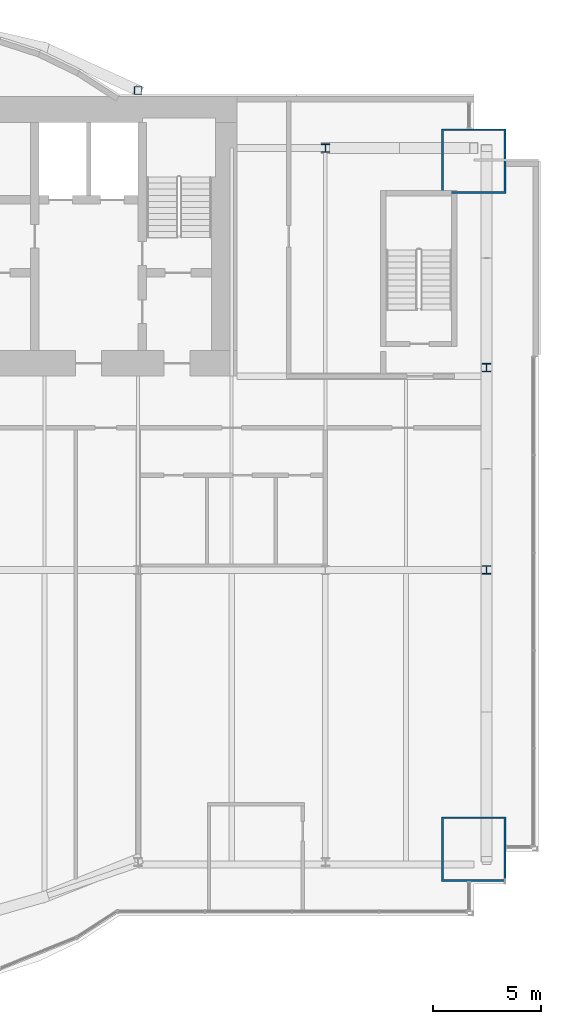
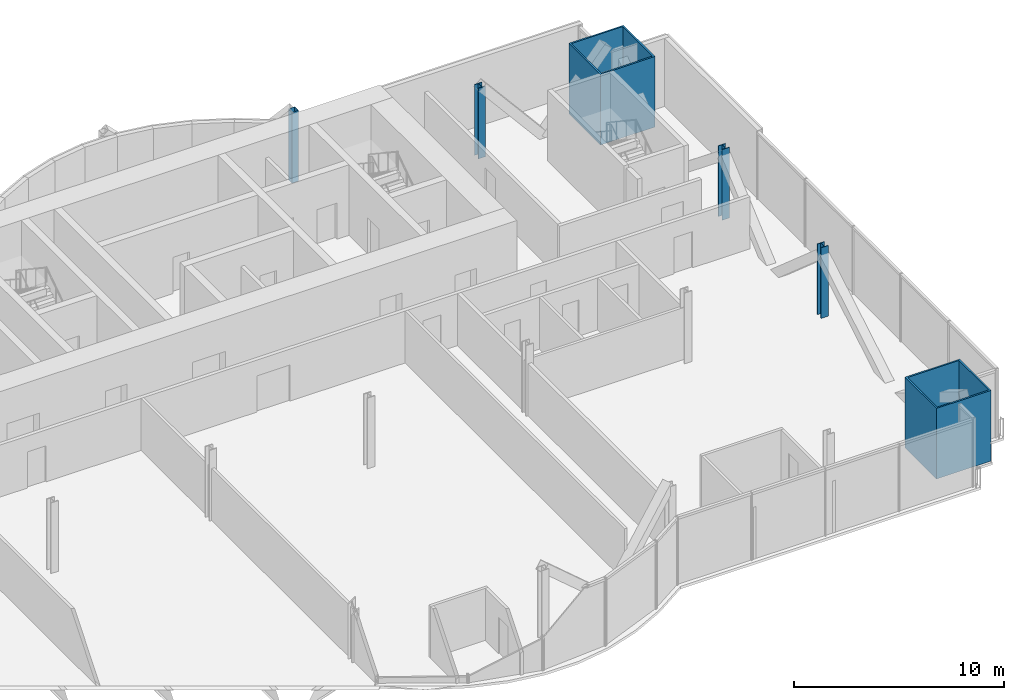
# One storey, part 3 of 21: 6 columns.
"""IFC4 building model written with IfcOpenShell, lengths in metres."""

from ifc_helpers import new_model, si_unit, direction, frame, origin, origin_2d, place, context, subcontext, project, spatial, hollow_rectangle, i_section, extrude, material, material_profile, profile_set, type_object, element, save


model = new_model("IFC4")

# Units and contexts
model_context = context("Model", 3, precision=1e-05, world=origin(), true_north=direction((0.0, 1.0)))
body_context = subcontext(model_context, "Body", "Model", "MODEL_VIEW")
ifc_project = project(units=[si_unit("LENGTHUNIT", "METRE"), si_unit("AREAUNIT", "SQUARE_METRE"), si_unit("VOLUMEUNIT", "CUBIC_METRE"), si_unit("PLANEANGLEUNIT", "RADIAN"), si_unit("MASSUNIT", "GRAM", prefix="KILO")], contexts=[model_context])

# Site, building, storey
site_placement = place(None, origin())
site = spatial("IfcSite", under=ifc_project, at=site_placement, CompositionType="ELEMENT")
building_placement = place(site_placement, origin())
building = spatial("IfcBuilding", under=site, at=building_placement, Name="Bicima Exchange Tower", CompositionType="ELEMENT")
storey_placement = place(building_placement, frame((0.0, 0.0, 106.300048828125)))
storey = spatial("IfcBuildingStorey", under=building, at=storey_placement, Name="L22", CompositionType="ELEMENT", Elevation=106.300048828125)

# Columns
ifc_material_1 = material(Name="Steel ASTM A572 Gr 50", Category="steel")
ifc_material_profile_1 = material_profile(ifc_material_1, hollow_rectangle(XDim=3.0, YDim=3.0, WallThickness=0.090087890625, at=origin_2d()))
ifc_profile_set_1 = profile_set([ifc_material_profile_1], Name="Steel ASTM A572 Gr 50")
column_type_1 = type_object("IfcColumnType", Name="Mega column BOX 3000x3000x90", PredefinedType="COLUMN", material=ifc_profile_set_1)
for number, where, z_axis, x_axis, name in (
    (1, (33.0, -34.97412109375, 0.0), (0.0, 0.0, 1.0), (1.0, 0.0, 0.0), "Mega column mega+33.0f"),
    (2, (33.0, -3.0, 0.0), (0.0, 0.0, 1.0), (1.0, 0.0, 0.0), "Mega column mega+33.0r"),
):
    element("IfcColumn", number, at=place(storey_placement, frame(where, z_axis=z_axis, x_axis=x_axis)), inside=storey, type_object=column_type_1, Name=name, PredefinedType="COLUMN", context=body_context, shape_type="SweptSolid", body=[
        extrude(hollow_rectangle(XDim=3.0, YDim=3.0, WallThickness=0.090087890625, at=origin_2d()), origin(), (0.0, 0.0, 1.0), 4.099853515625),
    ])
ifc_material_2 = material(Name="Steel ASTM A992 Gr 50", Category="steel")
ifc_material_profile_2 = material_profile(ifc_material_2, i_section(OverallWidth=0.398681640625, OverallDepth=0.393798828125, WebThickness=0.022705078125, FlangeThickness=0.03662109375, at=origin_2d()))
ifc_profile_set_2 = profile_set([ifc_material_profile_2], Name="Steel ASTM A992 Gr 50")
column_type_2 = type_object("IfcColumnType", Name="Perimeter column W14x193", PredefinedType="COLUMN", material=ifc_profile_set_2)
for number, where, z_axis, x_axis, name in (
    (3, (26.10009765625, -2.39990234375, 0.0), (0.0, 0.0, 1.0), (1.0, 0.0, 0.0), "Perimeter column grav+26.1r"),
    (4, (33.60009765625, -12.60009765625, 0.0), (0.0, 0.0, 1.0), (1.0, 0.0, 0.0), "End column end+33.6e"),
    (5, (33.60009765625, -22.0, 0.0), (0.0, 0.0, 1.0), (1.0, 0.0, 0.0), "End column end+33.6e"),
):
    element("IfcColumn", number, at=place(storey_placement, frame(where, z_axis=z_axis, x_axis=x_axis)), inside=storey, type_object=column_type_2, Name=name, PredefinedType="COLUMN", context=body_context, shape_type="SweptSolid", body=[
        extrude(i_section(OverallWidth=0.398681640625, OverallDepth=0.393798828125, WebThickness=0.022705078125, FlangeThickness=0.03662109375, at=origin_2d()), origin(), (0.0, 0.0, 1.0), 4.099853515625),
    ])
ifc_material_profile_3 = material_profile(ifc_material_1, hollow_rectangle(XDim=0.355712890625, YDim=0.355712890625, WallThickness=0.01171875, at=origin_2d()))
ifc_profile_set_3 = profile_set([ifc_material_profile_3], Name="Steel ASTM A572 Gr 50")
column_type_3 = type_object("IfcColumnType", Name="Rear pilaster HSS14x14x1/2", PredefinedType="COLUMN", material=ifc_profile_set_3)
column_placement = place(storey_placement, frame((17.39990234375, 0.278076171875, 0.0), z_axis=(0.0, 0.0, 1.0), x_axis=(1.0, 0.0, 0.0)))
element("IfcColumn", 6, at=column_placement, inside=storey, type_object=column_type_3, Name="Rear pilaster rexo+17.4r", PredefinedType="COLUMN", context=body_context, shape_type="SweptSolid", body=[
    extrude(hollow_rectangle(XDim=0.355712890625, YDim=0.355712890625, WallThickness=0.01171875, at=origin_2d()), origin(), (0.0, 0.0, 1.0), 4.099853515625),
])

save(model, "model.ifc")
